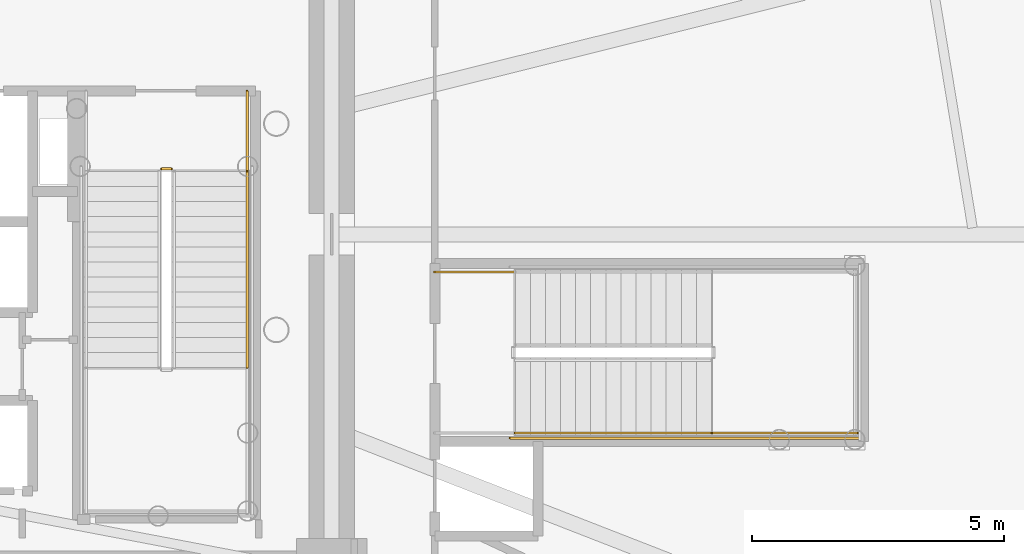
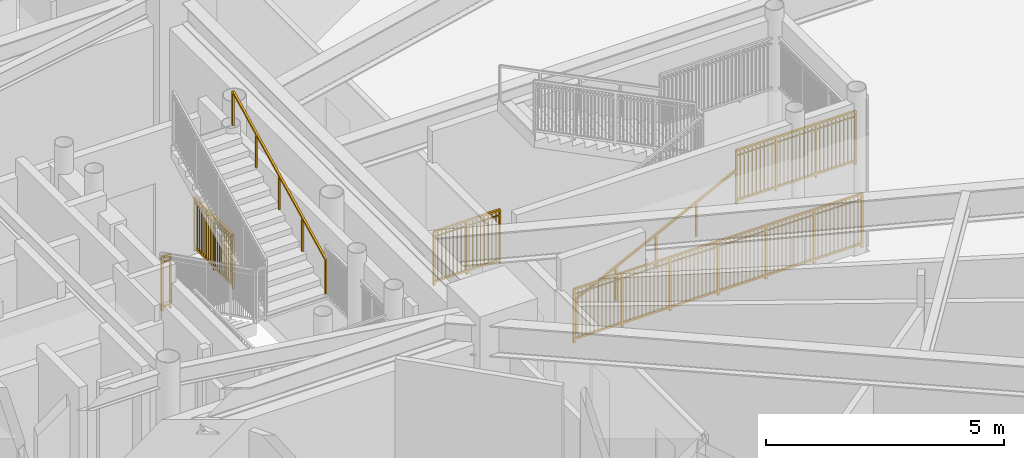
# One storey, part 25 of 27: 7 railings.
"""IFC4 building model written with IfcOpenShell, lengths in metres."""

from ifc_helpers import new_model, si_unit, direction, frame, origin, origin_2d, place, context, subcontext, project, spatial, rectangle, extrude, source, transform, mapped, material, type_object, element, save


model = new_model("IFC4")

# Units and contexts
model_context = context("Model", 3, precision=1e-05, world=origin(), true_north=direction((0.0, 1.0)))
body_context = subcontext(model_context, "Body", "Model", "MODEL_VIEW")
ifc_project = project(units=[si_unit("LENGTHUNIT", "METRE"), si_unit("AREAUNIT", "SQUARE_METRE"), si_unit("VOLUMEUNIT", "CUBIC_METRE"), si_unit("PLANEANGLEUNIT", "RADIAN"), si_unit("MASSUNIT", "GRAM", prefix="KILO")], contexts=[model_context])

# Site, building, storey
site_placement = place(None, origin())
site = spatial("IfcSite", under=ifc_project, at=site_placement, CompositionType="ELEMENT")
building_placement = place(site_placement, origin())
building = spatial("IfcBuilding", under=site, at=building_placement, Name="Linh Dai School and Residence Tower", CompositionType="ELEMENT")
storey_placement = place(building_placement, frame((0.0, 0.0, 14.39990234375)))
storey = spatial("IfcBuildingStorey", under=building, at=storey_placement, Name="L03", CompositionType="ELEMENT", Elevation=14.39990234375)

# Railings
ifc_material_1 = material(Name="Structural Steel S355JR", Category="steel")
railing_type_1 = type_object("IfcRailingType", Name="RL-ST-GUARD-1400", PredefinedType="GUARDRAIL", material=ifc_material_1)
shared_shape_1 = source(origin(), body_context, "Body", "SweptSolid", [
    extrude(rectangle(XDim=0.048095703125, YDim=0.048095703125, at=origin_2d()), frame((0.0, 0.0, 1.3759765625), z_axis=(1.0, 0.0, 0.0), x_axis=(0.0, 1.0, 0.0)), (0.0, 0.0, 1.0), 0.199951171875),
    extrude(rectangle(XDim=0.048095703125, YDim=0.048095703125, at=origin_2d()), frame((0.0, 0.0, 0.10009765625), z_axis=(1.0, 0.0, 0.0), x_axis=(0.0, 1.0, 0.0)), (0.0, 0.0, 1.0), 0.199951171875),
    extrude(rectangle(XDim=0.030029296875, YDim=0.030029296875, at=origin_2d()), frame((0.0, 0.0, 1.239990234375), z_axis=(1.0, 0.0, 0.0), x_axis=(0.0, 1.0, 0.0)), (0.0, 0.0, 1.0), 0.199951171875),
    extrude(rectangle(XDim=0.0419921875, YDim=0.0419921875, at=origin_2d()), origin(), (0.0, 0.0, 1.0), 1.3759765625),
    extrude(rectangle(XDim=0.0419921875, YDim=0.0419921875, at=origin_2d()), frame((0.199951171875, 0.0, 0.0)), (0.0, 0.0, 1.0), 1.3759765625),
])
railing_1_placement = place(storey_placement, frame((42.570068359375, 28.300048828125, 0.0)))
element("IfcRailing", 1, at=railing_1_placement, inside=storey, type_object=railing_type_1, Name="L03 ST2 stair guard 7", PredefinedType="GUARDRAIL", context=body_context, shape_type="MappedRepresentation", body=[
    mapped(shared_shape_1, transform((0.0, 0.0, 0.0), x_axis=(1.0, 0.0, 0.0), y_axis=(0.0, 1.0, 0.0), z_axis=(0.0, 0.0, 1.0), scale=1.0)),
])
shared_shape_2 = source(origin(), body_context, "Body", "SweptSolid", [
    extrude(rectangle(XDim=0.048095703125, YDim=0.048095703125, at=origin_2d()), frame((0.0, 0.0, 1.3759765625), z_axis=(0.0, -1.0, 0.0), x_axis=(1.0, 0.0, 0.0)), (0.0, 0.0, 1.0), 1.60009765625),
    extrude(rectangle(XDim=0.048095703125, YDim=0.048095703125, at=origin_2d()), frame((0.0, 0.0, 0.10009765625), z_axis=(0.0, -1.0, 0.0), x_axis=(1.0, 0.0, 0.0)), (0.0, 0.0, 1.0), 1.60009765625),
    extrude(rectangle(XDim=0.030029296875, YDim=0.030029296875, at=origin_2d()), frame((0.0, 0.0, 1.239990234375), z_axis=(0.0, -1.0, 0.0), x_axis=(1.0, 0.0, 0.0)), (0.0, 0.0, 1.0), 1.60009765625),
    extrude(rectangle(XDim=0.02001953125, YDim=0.02001953125, at=origin_2d()), frame((0.0, -0.09423828125, 0.10009765625)), (0.0, 0.0, 1.0), 1.251708984375),
    extrude(rectangle(XDim=0.02001953125, YDim=0.02001953125, at=origin_2d()), frame((0.0, -0.188232421875, 0.10009765625)), (0.0, 0.0, 1.0), 1.251708984375),
    extrude(rectangle(XDim=0.02001953125, YDim=0.02001953125, at=origin_2d()), frame((0.0, -0.282470703125, 0.10009765625)), (0.0, 0.0, 1.0), 1.251708984375),
    extrude(rectangle(XDim=0.02001953125, YDim=0.02001953125, at=origin_2d()), frame((0.0, -0.37646484375, 0.10009765625)), (0.0, 0.0, 1.0), 1.251708984375),
    extrude(rectangle(XDim=0.02001953125, YDim=0.02001953125, at=origin_2d()), frame((0.0, -0.470703125, 0.10009765625)), (0.0, 0.0, 1.0), 1.251708984375),
    extrude(rectangle(XDim=0.02001953125, YDim=0.02001953125, at=origin_2d()), frame((0.0, -0.564697265625, 0.10009765625)), (0.0, 0.0, 1.0), 1.251708984375),
    extrude(rectangle(XDim=0.02001953125, YDim=0.02001953125, at=origin_2d()), frame((0.0, -0.658935546875, 0.10009765625)), (0.0, 0.0, 1.0), 1.251708984375),
    extrude(rectangle(XDim=0.02001953125, YDim=0.02001953125, at=origin_2d()), frame((0.0, -0.7529296875, 0.10009765625)), (0.0, 0.0, 1.0), 1.251708984375),
    extrude(rectangle(XDim=0.02001953125, YDim=0.02001953125, at=origin_2d()), frame((0.0, -0.84716796875, 0.10009765625)), (0.0, 0.0, 1.0), 1.251708984375),
    extrude(rectangle(XDim=0.02001953125, YDim=0.02001953125, at=origin_2d()), frame((0.0, -0.941162109375, 0.10009765625)), (0.0, 0.0, 1.0), 1.251708984375),
    extrude(rectangle(XDim=0.02001953125, YDim=0.02001953125, at=origin_2d()), frame((0.0, -1.035400390625, 0.10009765625)), (0.0, 0.0, 1.0), 1.251708984375),
    extrude(rectangle(XDim=0.02001953125, YDim=0.02001953125, at=origin_2d()), frame((0.0, -1.12939453125, 0.10009765625)), (0.0, 0.0, 1.0), 1.251708984375),
    extrude(rectangle(XDim=0.02001953125, YDim=0.02001953125, at=origin_2d()), frame((0.0, -1.2236328125, 0.10009765625)), (0.0, 0.0, 1.0), 1.251708984375),
    extrude(rectangle(XDim=0.02001953125, YDim=0.02001953125, at=origin_2d()), frame((0.0, -1.317626953125, 0.10009765625)), (0.0, 0.0, 1.0), 1.251708984375),
    extrude(rectangle(XDim=0.02001953125, YDim=0.02001953125, at=origin_2d()), frame((0.0, -1.411865234375, 0.10009765625)), (0.0, 0.0, 1.0), 1.251708984375),
    extrude(rectangle(XDim=0.02001953125, YDim=0.02001953125, at=origin_2d()), frame((0.0, -1.505859375, 0.10009765625)), (0.0, 0.0, 1.0), 1.251708984375),
    extrude(rectangle(XDim=0.0419921875, YDim=0.0419921875, at=origin_2d()), origin(), (0.0, 0.0, 1.0), 1.3759765625),
    extrude(rectangle(XDim=0.0419921875, YDim=0.0419921875, at=origin_2d()), frame((0.0, -0.800048828125, 0.0)), (0.0, 0.0, 1.0), 1.3759765625),
    extrude(rectangle(XDim=0.0419921875, YDim=0.0419921875, at=origin_2d()), frame((0.0, -1.60009765625, 0.0)), (0.0, 0.0, 1.0), 1.3759765625),
])
railing_2_placement = place(storey_placement, frame((44.27001953125, 29.85009765625, 0.0)))
element("IfcRailing", 2, at=railing_2_placement, inside=storey, type_object=railing_type_1, Name="L03 ST2 stair guard 9", PredefinedType="GUARDRAIL", context=body_context, shape_type="MappedRepresentation", body=[
    mapped(shared_shape_2, transform((0.0, 0.0, 0.0), x_axis=(1.0, 0.0, 0.0), y_axis=(0.0, 1.0, 0.0), z_axis=(0.0, 0.0, 1.0), scale=1.0)),
])
ifc_material_2 = material(Name="Brushed Stainless Steel Handrail", Category="steel")
railing_type_2 = type_object("IfcRailingType", Name="RL-ST-HANDRAIL-900", PredefinedType="HANDRAIL", material=ifc_material_2)
shared_shape_3 = source(origin(), body_context, "Body", "SweptSolid", [
    extrude(rectangle(XDim=0.048095703125, YDim=0.048095703125, at=origin_2d()), frame((0.0, 0.0, 0.8759765625), z_axis=(0.0, 0.894404793364, 0.447258387967), x_axis=(-1.0, 0.0, 0.0)), (0.0, 0.0, 1.0), 4.3603515625),
    extrude(rectangle(XDim=0.0419921875, YDim=0.0419921875, at=origin_2d()), origin(), (0.0, 0.0, 1.0), 0.8759765625),
    extrude(rectangle(XDim=0.0419921875, YDim=0.0419921875, at=origin_2d()), frame((0.0, 0.97509765625, 0.487548828125)), (0.0, 0.0, 1.0), 0.8759765625),
    extrude(rectangle(XDim=0.0419921875, YDim=0.0419921875, at=origin_2d()), frame((0.0, 1.949951171875, 0.97509765625)), (0.0, 0.0, 1.0), 0.8759765625),
    extrude(rectangle(XDim=0.0419921875, YDim=0.0419921875, at=origin_2d()), frame((0.0, 2.9248046875, 1.462646484375)), (0.0, 0.0, 1.0), 0.8759765625),
    extrude(rectangle(XDim=0.0419921875, YDim=0.0419921875, at=origin_2d()), frame((0.0, 3.89990234375, 1.9501953125)), (0.0, 0.0, 1.0), 0.8759765625),
])
railing_3_placement = place(storey_placement, frame((44.27001953125, 24.35009765625, 2.25)))
element("IfcRailing", 3, at=railing_3_placement, inside=storey, type_object=railing_type_2, Name="L03 ST2 stair handrail 2", PredefinedType="HANDRAIL", context=body_context, shape_type="MappedRepresentation", body=[
    mapped(shared_shape_3, transform((0.0, 0.0, 0.0), x_axis=(1.0, 0.0, 0.0), y_axis=(0.0, 1.0, 0.0), z_axis=(0.0, 0.0, 1.0), scale=1.0)),
])
shared_shape_4 = source(origin(), body_context, "Body", "SweptSolid", [
    extrude(rectangle(XDim=0.048095703125, YDim=0.048095703125, at=origin_2d()), frame((0.0, 0.0, 0.8759765625), z_axis=(0.894427191, 0.0, 0.4472135955), x_axis=(0.0, 1.0, 0.0)), (0.0, 0.0, 1.0), 4.360107421875),
    extrude(rectangle(XDim=0.0419921875, YDim=0.0419921875, at=origin_2d()), origin(), (0.0, 0.0, 1.0), 0.8759765625),
    extrude(rectangle(XDim=0.0419921875, YDim=0.0419921875, at=origin_2d()), frame((0.97509765625, 0.0, 0.487548828125)), (0.0, 0.0, 1.0), 0.8759765625),
    extrude(rectangle(XDim=0.0419921875, YDim=0.0419921875, at=origin_2d()), frame((1.949951171875, 0.0, 0.97509765625)), (0.0, 0.0, 1.0), 0.8759765625),
    extrude(rectangle(XDim=0.0419921875, YDim=0.0419921875, at=origin_2d()), frame((2.9248046875, 0.0, 1.46240234375)), (0.0, 0.0, 1.0), 0.8759765625),
    extrude(rectangle(XDim=0.0419921875, YDim=0.0419921875, at=origin_2d()), frame((3.89990234375, 0.0, 1.949951171875)), (0.0, 0.0, 1.0), 0.8759765625),
])
railing_4_placement = place(storey_placement, frame((49.60009765625, 23.050048828125, 0.150146484375)))
element("IfcRailing", 4, at=railing_4_placement, inside=storey, type_object=railing_type_2, Name="L03 STS2 stair handrail 1", PredefinedType="HANDRAIL", context=body_context, shape_type="MappedRepresentation", body=[
    mapped(shared_shape_4, transform((0.0, 0.0, 0.0), x_axis=(1.0, 0.0, 0.0), y_axis=(0.0, 1.0, 0.0), z_axis=(0.0, 0.0, 1.0), scale=1.0)),
])
shared_shape_5 = source(origin(), body_context, "Body", "SweptSolid", [
    extrude(rectangle(XDim=0.048095703125, YDim=0.048095703125, at=origin_2d()), frame((0.0, 0.0, 1.3759765625), z_axis=(1.0, 0.0, 0.0), x_axis=(0.0, 1.0, 0.0)), (0.0, 0.0, 1.0), 1.60009765625),
    extrude(rectangle(XDim=0.048095703125, YDim=0.048095703125, at=origin_2d()), frame((0.0, 0.0, 0.10009765625), z_axis=(1.0, 0.0, 0.0), x_axis=(0.0, 1.0, 0.0)), (0.0, 0.0, 1.0), 1.60009765625),
    extrude(rectangle(XDim=0.030029296875, YDim=0.030029296875, at=origin_2d()), frame((0.0, 0.0, 1.239990234375), z_axis=(1.0, 0.0, 0.0), x_axis=(0.0, 1.0, 0.0)), (0.0, 0.0, 1.0), 1.60009765625),
    extrude(rectangle(XDim=0.02001953125, YDim=0.02001953125, at=origin_2d()), frame((0.09423828125, 0.0, 0.10009765625)), (0.0, 0.0, 1.0), 1.251708984375),
    extrude(rectangle(XDim=0.02001953125, YDim=0.02001953125, at=origin_2d()), frame((0.188232421875, 0.0, 0.10009765625)), (0.0, 0.0, 1.0), 1.251708984375),
    extrude(rectangle(XDim=0.02001953125, YDim=0.02001953125, at=origin_2d()), frame((0.282470703125, 0.0, 0.10009765625)), (0.0, 0.0, 1.0), 1.251708984375),
    extrude(rectangle(XDim=0.02001953125, YDim=0.02001953125, at=origin_2d()), frame((0.37646484375, 0.0, 0.10009765625)), (0.0, 0.0, 1.0), 1.251708984375),
    extrude(rectangle(XDim=0.02001953125, YDim=0.02001953125, at=origin_2d()), frame((0.470703125, 0.0, 0.10009765625)), (0.0, 0.0, 1.0), 1.251708984375),
    extrude(rectangle(XDim=0.02001953125, YDim=0.02001953125, at=origin_2d()), frame((0.564697265625, 0.0, 0.10009765625)), (0.0, 0.0, 1.0), 1.251708984375),
    extrude(rectangle(XDim=0.02001953125, YDim=0.02001953125, at=origin_2d()), frame((0.658935546875, 0.0, 0.10009765625)), (0.0, 0.0, 1.0), 1.251708984375),
    extrude(rectangle(XDim=0.02001953125, YDim=0.02001953125, at=origin_2d()), frame((0.7529296875, 0.0, 0.10009765625)), (0.0, 0.0, 1.0), 1.251708984375),
    extrude(rectangle(XDim=0.02001953125, YDim=0.02001953125, at=origin_2d()), frame((0.84716796875, 0.0, 0.10009765625)), (0.0, 0.0, 1.0), 1.251708984375),
    extrude(rectangle(XDim=0.02001953125, YDim=0.02001953125, at=origin_2d()), frame((0.941162109375, 0.0, 0.10009765625)), (0.0, 0.0, 1.0), 1.251708984375),
    extrude(rectangle(XDim=0.02001953125, YDim=0.02001953125, at=origin_2d()), frame((1.035400390625, 0.0, 0.10009765625)), (0.0, 0.0, 1.0), 1.251708984375),
    extrude(rectangle(XDim=0.02001953125, YDim=0.02001953125, at=origin_2d()), frame((1.12939453125, 0.0, 0.10009765625)), (0.0, 0.0, 1.0), 1.251708984375),
    extrude(rectangle(XDim=0.02001953125, YDim=0.02001953125, at=origin_2d()), frame((1.2236328125, 0.0, 0.10009765625)), (0.0, 0.0, 1.0), 1.251708984375),
    extrude(rectangle(XDim=0.02001953125, YDim=0.02001953125, at=origin_2d()), frame((1.317626953125, 0.0, 0.10009765625)), (0.0, 0.0, 1.0), 1.251708984375),
    extrude(rectangle(XDim=0.02001953125, YDim=0.02001953125, at=origin_2d()), frame((1.411865234375, 0.0, 0.10009765625)), (0.0, 0.0, 1.0), 1.251708984375),
    extrude(rectangle(XDim=0.02001953125, YDim=0.02001953125, at=origin_2d()), frame((1.505859375, 0.0, 0.10009765625)), (0.0, 0.0, 1.0), 1.251708984375),
    extrude(rectangle(XDim=0.0419921875, YDim=0.0419921875, at=origin_2d()), origin(), (0.0, 0.0, 1.0), 1.3759765625),
    extrude(rectangle(XDim=0.0419921875, YDim=0.0419921875, at=origin_2d()), frame((0.800048828125, 0.0, 0.0)), (0.0, 0.0, 1.0), 1.3759765625),
    extrude(rectangle(XDim=0.0419921875, YDim=0.0419921875, at=origin_2d()), frame((1.60009765625, 0.0, 0.0)), (0.0, 0.0, 1.0), 1.3759765625),
])
railing_5_placement = place(storey_placement, frame((48.0, 26.25, 0.0)))
element("IfcRailing", 5, at=railing_5_placement, inside=storey, type_object=railing_type_1, Name="L03 STS2 stair guard 9", PredefinedType="GUARDRAIL", context=body_context, shape_type="MappedRepresentation", body=[
    mapped(shared_shape_5, transform((0.0, 0.0, 0.0), x_axis=(1.0, 0.0, 0.0), y_axis=(0.0, 1.0, 0.0), z_axis=(0.0, 0.0, 1.0), scale=1.0)),
])
shared_shape_6 = source(origin(), body_context, "Body", "SweptSolid", [
    extrude(rectangle(XDim=0.048095703125, YDim=0.048095703125, at=origin_2d()), frame((0.0, 0.0, 1.3759765625), z_axis=(1.0, 0.0, 0.0), x_axis=(0.0, 1.0, 0.0)), (0.0, 0.0, 1.0), 2.89990234375),
    extrude(rectangle(XDim=0.048095703125, YDim=0.048095703125, at=origin_2d()), frame((0.0, 0.0, 0.10009765625), z_axis=(1.0, 0.0, 0.0), x_axis=(0.0, 1.0, 0.0)), (0.0, 0.0, 1.0), 2.89990234375),
    extrude(rectangle(XDim=0.030029296875, YDim=0.030029296875, at=origin_2d()), frame((0.0, 0.0, 1.239990234375), z_axis=(1.0, 0.0, 0.0), x_axis=(0.0, 1.0, 0.0)), (0.0, 0.0, 1.0), 2.89990234375),
    extrude(rectangle(XDim=0.02001953125, YDim=0.02001953125, at=origin_2d()), frame((0.0966796875, 0.0, 0.10009765625)), (0.0, 0.0, 1.0), 1.251708984375),
    extrude(rectangle(XDim=0.02001953125, YDim=0.02001953125, at=origin_2d()), frame((0.193359375, 0.0, 0.10009765625)), (0.0, 0.0, 1.0), 1.251708984375),
    extrude(rectangle(XDim=0.02001953125, YDim=0.02001953125, at=origin_2d()), frame((0.2900390625, 0.0, 0.10009765625)), (0.0, 0.0, 1.0), 1.251708984375),
    extrude(rectangle(XDim=0.02001953125, YDim=0.02001953125, at=origin_2d()), frame((0.38671875, 0.0, 0.10009765625)), (0.0, 0.0, 1.0), 1.251708984375),
    extrude(rectangle(XDim=0.02001953125, YDim=0.02001953125, at=origin_2d()), frame((0.4833984375, 0.0, 0.10009765625)), (0.0, 0.0, 1.0), 1.251708984375),
    extrude(rectangle(XDim=0.02001953125, YDim=0.02001953125, at=origin_2d()), frame((0.580078125, 0.0, 0.10009765625)), (0.0, 0.0, 1.0), 1.251708984375),
    extrude(rectangle(XDim=0.02001953125, YDim=0.02001953125, at=origin_2d()), frame((0.6767578125, 0.0, 0.10009765625)), (0.0, 0.0, 1.0), 1.251708984375),
    extrude(rectangle(XDim=0.02001953125, YDim=0.02001953125, at=origin_2d()), frame((0.773193359375, 0.0, 0.10009765625)), (0.0, 0.0, 1.0), 1.251708984375),
    extrude(rectangle(XDim=0.02001953125, YDim=0.02001953125, at=origin_2d()), frame((0.869873046875, 0.0, 0.10009765625)), (0.0, 0.0, 1.0), 1.251708984375),
    extrude(rectangle(XDim=0.02001953125, YDim=0.02001953125, at=origin_2d()), frame((1.063232421875, 0.0, 0.10009765625)), (0.0, 0.0, 1.0), 1.251708984375),
    extrude(rectangle(XDim=0.02001953125, YDim=0.02001953125, at=origin_2d()), frame((1.159912109375, 0.0, 0.10009765625)), (0.0, 0.0, 1.0), 1.251708984375),
    extrude(rectangle(XDim=0.02001953125, YDim=0.02001953125, at=origin_2d()), frame((1.256591796875, 0.0, 0.10009765625)), (0.0, 0.0, 1.0), 1.251708984375),
    extrude(rectangle(XDim=0.02001953125, YDim=0.02001953125, at=origin_2d()), frame((1.353271484375, 0.0, 0.10009765625)), (0.0, 0.0, 1.0), 1.251708984375),
    extrude(rectangle(XDim=0.02001953125, YDim=0.02001953125, at=origin_2d()), frame((1.449951171875, 0.0, 0.10009765625)), (0.0, 0.0, 1.0), 1.251708984375),
    extrude(rectangle(XDim=0.02001953125, YDim=0.02001953125, at=origin_2d()), frame((1.546630859375, 0.0, 0.10009765625)), (0.0, 0.0, 1.0), 1.251708984375),
    extrude(rectangle(XDim=0.02001953125, YDim=0.02001953125, at=origin_2d()), frame((1.643310546875, 0.0, 0.10009765625)), (0.0, 0.0, 1.0), 1.251708984375),
    extrude(rectangle(XDim=0.02001953125, YDim=0.02001953125, at=origin_2d()), frame((1.739990234375, 0.0, 0.10009765625)), (0.0, 0.0, 1.0), 1.251708984375),
    extrude(rectangle(XDim=0.02001953125, YDim=0.02001953125, at=origin_2d()), frame((1.836669921875, 0.0, 0.10009765625)), (0.0, 0.0, 1.0), 1.251708984375),
    extrude(rectangle(XDim=0.02001953125, YDim=0.02001953125, at=origin_2d()), frame((2.030029296875, 0.0, 0.10009765625)), (0.0, 0.0, 1.0), 1.251708984375),
    extrude(rectangle(XDim=0.02001953125, YDim=0.02001953125, at=origin_2d()), frame((2.126708984375, 0.0, 0.10009765625)), (0.0, 0.0, 1.0), 1.251708984375),
    extrude(rectangle(XDim=0.02001953125, YDim=0.02001953125, at=origin_2d()), frame((2.22314453125, 0.0, 0.10009765625)), (0.0, 0.0, 1.0), 1.251708984375),
    extrude(rectangle(XDim=0.02001953125, YDim=0.02001953125, at=origin_2d()), frame((2.31982421875, 0.0, 0.10009765625)), (0.0, 0.0, 1.0), 1.251708984375),
    extrude(rectangle(XDim=0.02001953125, YDim=0.02001953125, at=origin_2d()), frame((2.41650390625, 0.0, 0.10009765625)), (0.0, 0.0, 1.0), 1.251708984375),
    extrude(rectangle(XDim=0.02001953125, YDim=0.02001953125, at=origin_2d()), frame((2.51318359375, 0.0, 0.10009765625)), (0.0, 0.0, 1.0), 1.251708984375),
    extrude(rectangle(XDim=0.02001953125, YDim=0.02001953125, at=origin_2d()), frame((2.60986328125, 0.0, 0.10009765625)), (0.0, 0.0, 1.0), 1.251708984375),
    extrude(rectangle(XDim=0.02001953125, YDim=0.02001953125, at=origin_2d()), frame((2.70654296875, 0.0, 0.10009765625)), (0.0, 0.0, 1.0), 1.251708984375),
    extrude(rectangle(XDim=0.02001953125, YDim=0.02001953125, at=origin_2d()), frame((2.80322265625, 0.0, 0.10009765625)), (0.0, 0.0, 1.0), 1.251708984375),
    extrude(rectangle(XDim=0.0419921875, YDim=0.0419921875, at=origin_2d()), origin(), (0.0, 0.0, 1.0), 1.3759765625),
    extrude(rectangle(XDim=0.0419921875, YDim=0.0419921875, at=origin_2d()), frame((0.966552734375, 0.0, 0.0)), (0.0, 0.0, 1.0), 1.3759765625),
    extrude(rectangle(XDim=0.0419921875, YDim=0.0419921875, at=origin_2d()), frame((1.933349609375, 0.0, 0.0)), (0.0, 0.0, 1.0), 1.3759765625),
    extrude(rectangle(XDim=0.0419921875, YDim=0.0419921875, at=origin_2d()), frame((2.89990234375, 0.0, 0.0)), (0.0, 0.0, 1.0), 1.3759765625),
])
railing_6_placement = place(storey_placement, frame((53.5, 23.050048828125, 2.10009765625)))
element("IfcRailing", 6, at=railing_6_placement, inside=storey, type_object=railing_type_1, Name="L03 STS2 stair guard 3", PredefinedType="GUARDRAIL", context=body_context, shape_type="MappedRepresentation", body=[
    mapped(shared_shape_6, transform((0.0, 0.0, 0.0), x_axis=(1.0, 0.0, 0.0), y_axis=(0.0, 1.0, 0.0), z_axis=(0.0, 0.0, 1.0), scale=1.0)),
])
shared_shape_7 = source(origin(), body_context, "Body", "SweptSolid", [
    extrude(rectangle(XDim=0.048095703125, YDim=0.048095703125, at=origin_2d()), frame((0.0, 0.0, 1.3759765625), z_axis=(1.0, 0.0, 0.0), x_axis=(0.0, 1.0, 0.0)), (0.0, 0.0, 1.0), 7.0),
    extrude(rectangle(XDim=0.048095703125, YDim=0.048095703125, at=origin_2d()), frame((0.0, 0.0, 0.10009765625), z_axis=(1.0, 0.0, 0.0), x_axis=(0.0, 1.0, 0.0)), (0.0, 0.0, 1.0), 7.0),
    extrude(rectangle(XDim=0.030029296875, YDim=0.030029296875, at=origin_2d()), frame((0.0, 0.0, 1.239990234375), z_axis=(1.0, 0.0, 0.0), x_axis=(0.0, 1.0, 0.0)), (0.0, 0.0, 1.0), 7.0),
    extrude(rectangle(XDim=0.02001953125, YDim=0.02001953125, at=origin_2d()), frame((0.09716796875, 0.0, 0.10009765625)), (0.0, 0.0, 1.0), 1.251708984375),
    extrude(rectangle(XDim=0.02001953125, YDim=0.02001953125, at=origin_2d()), frame((0.1943359375, 0.0, 0.10009765625)), (0.0, 0.0, 1.0), 1.251708984375),
    extrude(rectangle(XDim=0.02001953125, YDim=0.02001953125, at=origin_2d()), frame((0.291748046875, 0.0, 0.10009765625)), (0.0, 0.0, 1.0), 1.251708984375),
    extrude(rectangle(XDim=0.02001953125, YDim=0.02001953125, at=origin_2d()), frame((0.388916015625, 0.0, 0.10009765625)), (0.0, 0.0, 1.0), 1.251708984375),
    extrude(rectangle(XDim=0.02001953125, YDim=0.02001953125, at=origin_2d()), frame((0.486083984375, 0.0, 0.10009765625)), (0.0, 0.0, 1.0), 1.251708984375),
    extrude(rectangle(XDim=0.02001953125, YDim=0.02001953125, at=origin_2d()), frame((0.583251953125, 0.0, 0.10009765625)), (0.0, 0.0, 1.0), 1.251708984375),
    extrude(rectangle(XDim=0.02001953125, YDim=0.02001953125, at=origin_2d()), frame((0.6806640625, 0.0, 0.10009765625)), (0.0, 0.0, 1.0), 1.251708984375),
    extrude(rectangle(XDim=0.02001953125, YDim=0.02001953125, at=origin_2d()), frame((0.77783203125, 0.0, 0.10009765625)), (0.0, 0.0, 1.0), 1.251708984375),
    extrude(rectangle(XDim=0.02001953125, YDim=0.02001953125, at=origin_2d()), frame((0.875, 0.0, 0.10009765625)), (0.0, 0.0, 1.0), 1.251708984375),
    extrude(rectangle(XDim=0.02001953125, YDim=0.02001953125, at=origin_2d()), frame((0.97216796875, 0.0, 0.10009765625)), (0.0, 0.0, 1.0), 1.251708984375),
    extrude(rectangle(XDim=0.02001953125, YDim=0.02001953125, at=origin_2d()), frame((1.0693359375, 0.0, 0.10009765625)), (0.0, 0.0, 1.0), 1.251708984375),
    extrude(rectangle(XDim=0.02001953125, YDim=0.02001953125, at=origin_2d()), frame((1.263916015625, 0.0, 0.10009765625)), (0.0, 0.0, 1.0), 1.251708984375),
    extrude(rectangle(XDim=0.02001953125, YDim=0.02001953125, at=origin_2d()), frame((1.361083984375, 0.0, 0.10009765625)), (0.0, 0.0, 1.0), 1.251708984375),
    extrude(rectangle(XDim=0.02001953125, YDim=0.02001953125, at=origin_2d()), frame((1.458251953125, 0.0, 0.10009765625)), (0.0, 0.0, 1.0), 1.251708984375),
    extrude(rectangle(XDim=0.02001953125, YDim=0.02001953125, at=origin_2d()), frame((1.5556640625, 0.0, 0.10009765625)), (0.0, 0.0, 1.0), 1.251708984375),
    extrude(rectangle(XDim=0.02001953125, YDim=0.02001953125, at=origin_2d()), frame((1.65283203125, 0.0, 0.10009765625)), (0.0, 0.0, 1.0), 1.251708984375),
    extrude(rectangle(XDim=0.02001953125, YDim=0.02001953125, at=origin_2d()), frame((1.75, 0.0, 0.10009765625)), (0.0, 0.0, 1.0), 1.251708984375),
    extrude(rectangle(XDim=0.02001953125, YDim=0.02001953125, at=origin_2d()), frame((1.84716796875, 0.0, 0.10009765625)), (0.0, 0.0, 1.0), 1.251708984375),
    extrude(rectangle(XDim=0.02001953125, YDim=0.02001953125, at=origin_2d()), frame((1.9443359375, 0.0, 0.10009765625)), (0.0, 0.0, 1.0), 1.251708984375),
    extrude(rectangle(XDim=0.02001953125, YDim=0.02001953125, at=origin_2d()), frame((2.041748046875, 0.0, 0.10009765625)), (0.0, 0.0, 1.0), 1.251708984375),
    extrude(rectangle(XDim=0.02001953125, YDim=0.02001953125, at=origin_2d()), frame((2.138916015625, 0.0, 0.10009765625)), (0.0, 0.0, 1.0), 1.251708984375),
    extrude(rectangle(XDim=0.02001953125, YDim=0.02001953125, at=origin_2d()), frame((2.236083984375, 0.0, 0.10009765625)), (0.0, 0.0, 1.0), 1.251708984375),
    extrude(rectangle(XDim=0.02001953125, YDim=0.02001953125, at=origin_2d()), frame((2.4306640625, 0.0, 0.10009765625)), (0.0, 0.0, 1.0), 1.251708984375),
    extrude(rectangle(XDim=0.02001953125, YDim=0.02001953125, at=origin_2d()), frame((2.52783203125, 0.0, 0.10009765625)), (0.0, 0.0, 1.0), 1.251708984375),
    extrude(rectangle(XDim=0.02001953125, YDim=0.02001953125, at=origin_2d()), frame((2.625, 0.0, 0.10009765625)), (0.0, 0.0, 1.0), 1.251708984375),
    extrude(rectangle(XDim=0.02001953125, YDim=0.02001953125, at=origin_2d()), frame((2.72216796875, 0.0, 0.10009765625)), (0.0, 0.0, 1.0), 1.251708984375),
    extrude(rectangle(XDim=0.02001953125, YDim=0.02001953125, at=origin_2d()), frame((2.8193359375, 0.0, 0.10009765625)), (0.0, 0.0, 1.0), 1.251708984375),
    extrude(rectangle(XDim=0.02001953125, YDim=0.02001953125, at=origin_2d()), frame((2.916748046875, 0.0, 0.10009765625)), (0.0, 0.0, 1.0), 1.251708984375),
    extrude(rectangle(XDim=0.02001953125, YDim=0.02001953125, at=origin_2d()), frame((3.013916015625, 0.0, 0.10009765625)), (0.0, 0.0, 1.0), 1.251708984375),
    extrude(rectangle(XDim=0.02001953125, YDim=0.02001953125, at=origin_2d()), frame((3.111083984375, 0.0, 0.10009765625)), (0.0, 0.0, 1.0), 1.251708984375),
    extrude(rectangle(XDim=0.02001953125, YDim=0.02001953125, at=origin_2d()), frame((3.208251953125, 0.0, 0.10009765625)), (0.0, 0.0, 1.0), 1.251708984375),
    extrude(rectangle(XDim=0.02001953125, YDim=0.02001953125, at=origin_2d()), frame((3.3056640625, 0.0, 0.10009765625)), (0.0, 0.0, 1.0), 1.251708984375),
    extrude(rectangle(XDim=0.02001953125, YDim=0.02001953125, at=origin_2d()), frame((3.40283203125, 0.0, 0.10009765625)), (0.0, 0.0, 1.0), 1.251708984375),
    extrude(rectangle(XDim=0.02001953125, YDim=0.02001953125, at=origin_2d()), frame((3.59716796875, 0.0, 0.10009765625)), (0.0, 0.0, 1.0), 1.251708984375),
    extrude(rectangle(XDim=0.02001953125, YDim=0.02001953125, at=origin_2d()), frame((3.6943359375, 0.0, 0.10009765625)), (0.0, 0.0, 1.0), 1.251708984375),
    extrude(rectangle(XDim=0.02001953125, YDim=0.02001953125, at=origin_2d()), frame((3.791748046875, 0.0, 0.10009765625)), (0.0, 0.0, 1.0), 1.251708984375),
    extrude(rectangle(XDim=0.02001953125, YDim=0.02001953125, at=origin_2d()), frame((3.888916015625, 0.0, 0.10009765625)), (0.0, 0.0, 1.0), 1.251708984375),
    extrude(rectangle(XDim=0.02001953125, YDim=0.02001953125, at=origin_2d()), frame((3.986083984375, 0.0, 0.10009765625)), (0.0, 0.0, 1.0), 1.251708984375),
    extrude(rectangle(XDim=0.02001953125, YDim=0.02001953125, at=origin_2d()), frame((4.083251953125, 0.0, 0.10009765625)), (0.0, 0.0, 1.0), 1.251708984375),
    extrude(rectangle(XDim=0.02001953125, YDim=0.02001953125, at=origin_2d()), frame((4.1806640625, 0.0, 0.10009765625)), (0.0, 0.0, 1.0), 1.251708984375),
    extrude(rectangle(XDim=0.02001953125, YDim=0.02001953125, at=origin_2d()), frame((4.27783203125, 0.0, 0.10009765625)), (0.0, 0.0, 1.0), 1.251708984375),
    extrude(rectangle(XDim=0.02001953125, YDim=0.02001953125, at=origin_2d()), frame((4.375, 0.0, 0.10009765625)), (0.0, 0.0, 1.0), 1.251708984375),
    extrude(rectangle(XDim=0.02001953125, YDim=0.02001953125, at=origin_2d()), frame((4.47216796875, 0.0, 0.10009765625)), (0.0, 0.0, 1.0), 1.251708984375),
    extrude(rectangle(XDim=0.02001953125, YDim=0.02001953125, at=origin_2d()), frame((4.5693359375, 0.0, 0.10009765625)), (0.0, 0.0, 1.0), 1.251708984375),
    extrude(rectangle(XDim=0.02001953125, YDim=0.02001953125, at=origin_2d()), frame((4.763916015625, 0.0, 0.10009765625)), (0.0, 0.0, 1.0), 1.251708984375),
    extrude(rectangle(XDim=0.02001953125, YDim=0.02001953125, at=origin_2d()), frame((4.861083984375, 0.0, 0.10009765625)), (0.0, 0.0, 1.0), 1.251708984375),
    extrude(rectangle(XDim=0.02001953125, YDim=0.02001953125, at=origin_2d()), frame((4.958251953125, 0.0, 0.10009765625)), (0.0, 0.0, 1.0), 1.251708984375),
    extrude(rectangle(XDim=0.02001953125, YDim=0.02001953125, at=origin_2d()), frame((5.0556640625, 0.0, 0.10009765625)), (0.0, 0.0, 1.0), 1.251708984375),
    extrude(rectangle(XDim=0.02001953125, YDim=0.02001953125, at=origin_2d()), frame((5.15283203125, 0.0, 0.10009765625)), (0.0, 0.0, 1.0), 1.251708984375),
    extrude(rectangle(XDim=0.02001953125, YDim=0.02001953125, at=origin_2d()), frame((5.25, 0.0, 0.10009765625)), (0.0, 0.0, 1.0), 1.251708984375),
    extrude(rectangle(XDim=0.02001953125, YDim=0.02001953125, at=origin_2d()), frame((5.34716796875, 0.0, 0.10009765625)), (0.0, 0.0, 1.0), 1.251708984375),
    extrude(rectangle(XDim=0.02001953125, YDim=0.02001953125, at=origin_2d()), frame((5.4443359375, 0.0, 0.10009765625)), (0.0, 0.0, 1.0), 1.251708984375),
    extrude(rectangle(XDim=0.02001953125, YDim=0.02001953125, at=origin_2d()), frame((5.541748046875, 0.0, 0.10009765625)), (0.0, 0.0, 1.0), 1.251708984375),
    extrude(rectangle(XDim=0.02001953125, YDim=0.02001953125, at=origin_2d()), frame((5.638916015625, 0.0, 0.10009765625)), (0.0, 0.0, 1.0), 1.251708984375),
    extrude(rectangle(XDim=0.02001953125, YDim=0.02001953125, at=origin_2d()), frame((5.736083984375, 0.0, 0.10009765625)), (0.0, 0.0, 1.0), 1.251708984375),
    extrude(rectangle(XDim=0.02001953125, YDim=0.02001953125, at=origin_2d()), frame((5.9306640625, 0.0, 0.10009765625)), (0.0, 0.0, 1.0), 1.251708984375),
    extrude(rectangle(XDim=0.02001953125, YDim=0.02001953125, at=origin_2d()), frame((6.02783203125, 0.0, 0.10009765625)), (0.0, 0.0, 1.0), 1.251708984375),
    extrude(rectangle(XDim=0.02001953125, YDim=0.02001953125, at=origin_2d()), frame((6.125, 0.0, 0.10009765625)), (0.0, 0.0, 1.0), 1.251708984375),
    extrude(rectangle(XDim=0.02001953125, YDim=0.02001953125, at=origin_2d()), frame((6.22216796875, 0.0, 0.10009765625)), (0.0, 0.0, 1.0), 1.251708984375),
    extrude(rectangle(XDim=0.02001953125, YDim=0.02001953125, at=origin_2d()), frame((6.3193359375, 0.0, 0.10009765625)), (0.0, 0.0, 1.0), 1.251708984375),
    extrude(rectangle(XDim=0.02001953125, YDim=0.02001953125, at=origin_2d()), frame((6.416748046875, 0.0, 0.10009765625)), (0.0, 0.0, 1.0), 1.251708984375),
    extrude(rectangle(XDim=0.02001953125, YDim=0.02001953125, at=origin_2d()), frame((6.513916015625, 0.0, 0.10009765625)), (0.0, 0.0, 1.0), 1.251708984375),
    extrude(rectangle(XDim=0.02001953125, YDim=0.02001953125, at=origin_2d()), frame((6.611083984375, 0.0, 0.10009765625)), (0.0, 0.0, 1.0), 1.251708984375),
    extrude(rectangle(XDim=0.02001953125, YDim=0.02001953125, at=origin_2d()), frame((6.708251953125, 0.0, 0.10009765625)), (0.0, 0.0, 1.0), 1.251708984375),
    extrude(rectangle(XDim=0.02001953125, YDim=0.02001953125, at=origin_2d()), frame((6.8056640625, 0.0, 0.10009765625)), (0.0, 0.0, 1.0), 1.251708984375),
    extrude(rectangle(XDim=0.02001953125, YDim=0.02001953125, at=origin_2d()), frame((6.90283203125, 0.0, 0.10009765625)), (0.0, 0.0, 1.0), 1.251708984375),
    extrude(rectangle(XDim=0.0419921875, YDim=0.0419921875, at=origin_2d()), origin(), (0.0, 0.0, 1.0), 1.3759765625),
    extrude(rectangle(XDim=0.0419921875, YDim=0.0419921875, at=origin_2d()), frame((1.166748046875, 0.0, 0.0)), (0.0, 0.0, 1.0), 1.3759765625),
    extrude(rectangle(XDim=0.0419921875, YDim=0.0419921875, at=origin_2d()), frame((2.333251953125, 0.0, 0.0)), (0.0, 0.0, 1.0), 1.3759765625),
    extrude(rectangle(XDim=0.0419921875, YDim=0.0419921875, at=origin_2d()), frame((3.5, 0.0, 0.0)), (0.0, 0.0, 1.0), 1.3759765625),
    extrude(rectangle(XDim=0.0419921875, YDim=0.0419921875, at=origin_2d()), frame((4.666748046875, 0.0, 0.0)), (0.0, 0.0, 1.0), 1.3759765625),
    extrude(rectangle(XDim=0.0419921875, YDim=0.0419921875, at=origin_2d()), frame((5.833251953125, 0.0, 0.0)), (0.0, 0.0, 1.0), 1.3759765625),
    extrude(rectangle(XDim=0.0419921875, YDim=0.0419921875, at=origin_2d()), frame((7.0, 0.0, 0.0)), (0.0, 0.0, 1.0), 1.3759765625),
])
railing_7_placement = place(storey_placement, frame((49.5, 22.949951171875, 0.0)))
element("IfcRailing", 7, at=railing_7_placement, inside=storey, type_object=railing_type_1, Name="L03 STS2 stair guard 10", PredefinedType="GUARDRAIL", context=body_context, shape_type="MappedRepresentation", body=[
    mapped(shared_shape_7, transform((0.0, 0.0, 0.0), x_axis=(1.0, 0.0, 0.0), y_axis=(0.0, 1.0, 0.0), z_axis=(0.0, 0.0, 1.0), scale=1.0)),
])

save(model, "model.ifc")
